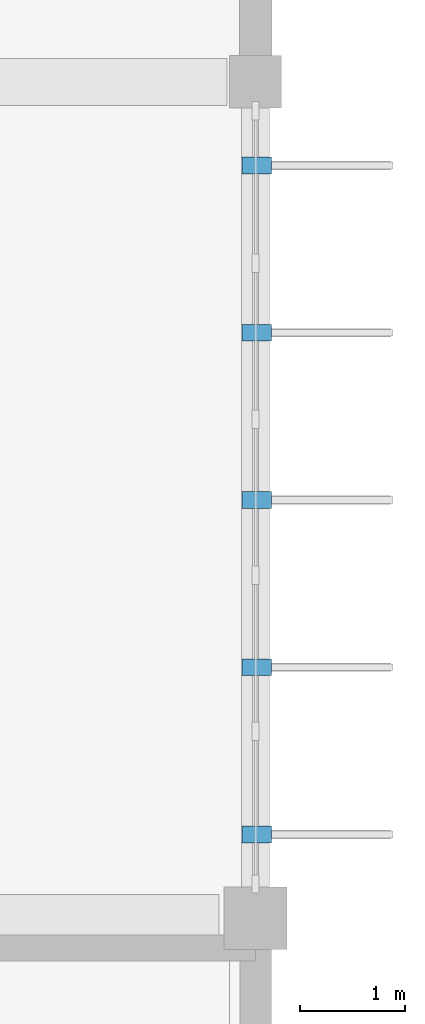
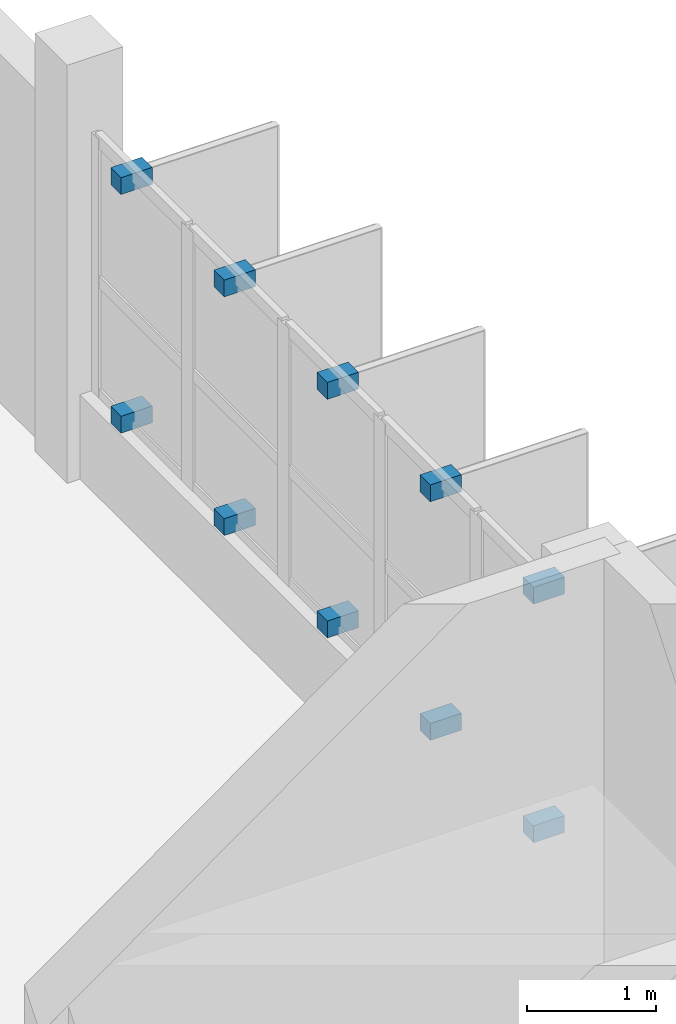
# One storey, part 60 of 66: 10 discrete accessories.
"""IFC4 building model written with IfcOpenShell, lengths in metres."""

import ifcopenshell
import ifcopenshell.guid

model = None  # the IFC model being written
_history = None  # IfcOwnerHistory: only IFC2X3 demands one
_inside = {}  # id of a spatial element -> (the spatial element, [elements in it])
_under = {}  # id of a project, library or spatial element -> (it, [spatial elements below it])
_declared = {}  # id of a project -> (the project, [libraries it declares])
_typed = {}  # id of a type object -> (the type object, [elements of that type])
_made_of = {}  # id of a material, layer set ... -> (it, [elements and type objects made of it])


def new_model(schema):
    """Start an empty IFC model of exactly this schema.

    Asked for "IFC4X3", IfcOpenShell would pick the latest addendum, in which some entities
    have other attributes; the version numbers below select the first issue.
    IFC2X3 requires an IfcOwnerHistory on every rooted entity: one is made here for all.
    """
    global model, _history
    if schema == "IFC4X3":
        model = ifcopenshell.file(schema_version=(4, 3, 0, 0))
    else:
        model = ifcopenshell.file(schema=schema)
    _inside.clear()
    _under.clear()
    _declared.clear()
    _typed.clear()
    _made_of.clear()
    _history = None
    if model.schema == "IFC2X3":
        org = make("IfcOrganization", Name="unknown")
        user = make(
            "IfcPersonAndOrganization",
            ThePerson=make("IfcPerson", FamilyName="unknown"),
            TheOrganization=org,
        )
        app = make(
            "IfcApplication",
            ApplicationDeveloper=org,
            Version="unknown",
            ApplicationFullName="unknown",
            ApplicationIdentifier="unknown",
        )
        _history = make(
            "IfcOwnerHistory",
            OwningUser=user,
            OwningApplication=app,
            ChangeAction="ADDED",
            CreationDate=0,
        )
    return model


def make(cls, **values):
    """One entity of the class cls with the attributes given. An attribute that is None is left unset."""
    return model.create_entity(
        cls, **{name: value for name, value in values.items() if value is not None}
    )


def rooted(cls, **values):
    """An entity with a GlobalId (a new one), such as an element, a storey or a relation."""
    return make(cls, GlobalId=ifcopenshell.guid.new(), OwnerHistory=_history, **values)


def si_unit(unit_type, name, prefix=None):
    """IfcSIUnit, for example si_unit("LENGTHUNIT", "METRE", prefix="MILLI")."""
    return make("IfcSIUnit", UnitType=unit_type, Prefix=prefix, Name=name)


def assignment(units):
    """IfcUnitAssignment: the units of a project."""
    return None if units is None else make("IfcUnitAssignment", Units=units)


def point(xyz):
    """IfcCartesianPoint."""
    return None if xyz is None else make("IfcCartesianPoint", Coordinates=xyz)


def direction(xyz):
    """IfcDirection."""
    return None if xyz is None else make("IfcDirection", DirectionRatios=xyz)


def frame(location, z_axis=None, x_axis=None):
    """IfcAxis2Placement3D, a coordinate frame: its origin and axes. An axis left out is left unset."""
    return make(
        "IfcAxis2Placement3D",
        Location=point(location),
        Axis=direction(z_axis),
        RefDirection=direction(x_axis),
    )


def frame_2d(location, x_axis=None):
    """IfcAxis2Placement2D, a coordinate frame in the plane: its origin and x axis."""
    return make(
        "IfcAxis2Placement2D", Location=point(location), RefDirection=direction(x_axis)
    )


def origin():
    """The frame at (0, 0, 0) with its axes left unset."""
    return frame((0.0, 0.0, 0.0))


def origin_2d():
    """The frame at (0, 0) in the plane with its x axis left unset."""
    return frame_2d((0.0, 0.0))


def place(relative_to, where):
    """IfcLocalPlacement: puts the frame where relative to a parent placement (None: the world)."""
    return make(
        "IfcLocalPlacement", PlacementRelTo=relative_to, RelativePlacement=where
    )


def context(
    kind, dimensions, precision=None, world=None, true_north=None, identifier=None
):
    """IfcGeometricRepresentationContext, for example the 3D "Model" context."""
    return make(
        "IfcGeometricRepresentationContext",
        ContextIdentifier=identifier,
        ContextType=kind,
        CoordinateSpaceDimension=dimensions,
        Precision=precision,
        WorldCoordinateSystem=world,
        TrueNorth=true_north,
    )


def subcontext(parent, identifier, kind, view, scale=None):
    """IfcGeometricRepresentationSubContext, for example "Body" below "Model"."""
    return make(
        "IfcGeometricRepresentationSubContext",
        ContextIdentifier=identifier,
        ContextType=kind,
        ParentContext=parent,
        TargetScale=scale,
        TargetView=view,
    )


def project(units=None, contexts=None):
    """IfcProject with its units and contexts."""
    return rooted(
        "IfcProject",
        Name="project",
        RepresentationContexts=contexts,
        UnitsInContext=assignment(units),
    )


def spatial(cls, under=None, at=None, **own):
    """A site, building, storey or space (cls), placed at a placement, below another one or the project."""
    s = rooted(cls, ObjectPlacement=at, **own)
    if under is not None:
        _under.setdefault(under.id(), (under, []))[1].append(s)
    return s


def profile(cls, at=None, kind="AREA", **sizes):
    """A parametric profile (cls). Its sizes go by their IFC names, for example OverallWidth=200.0."""
    return make(cls, ProfileType=kind, Position=at, **sizes)


def rectangle(**sizes):
    """IfcRectangleProfileDef."""
    return profile("IfcRectangleProfileDef", **sizes)


def extrude(swept, where, along, depth):
    """IfcExtrudedAreaSolid: the profile swept, set in the frame where, extruded along a direction by depth."""
    return make(
        "IfcExtrudedAreaSolid",
        SweptArea=swept,
        Position=where,
        ExtrudedDirection=direction(along),
        Depth=depth,
    )


def shape(context_of_items, identifier, shape_type, items):
    """IfcShapeRepresentation: the items that make up one representation, for example the "Body"."""
    return make(
        "IfcShapeRepresentation",
        ContextOfItems=context_of_items,
        RepresentationIdentifier=identifier,
        RepresentationType=shape_type,
        Items=items,
    )


def material(Name=None, Category=None):
    """IfcMaterial."""
    return make("IfcMaterial", Name=Name, Category=Category)


def made_of(thing, what):
    """Note that an element or type object is made of a material, layer set ...; save() writes the relation."""
    if what is not None:
        _made_of.setdefault(what.id(), (what, []))[1].append(thing)
    return thing


def type_object(cls, material=None, **own):
    """A type object (cls), such as IfcWallType, which elements share."""
    return made_of(rooted(cls, **own), material)


def element(
    cls,
    number,
    at=None,
    inside=None,
    cuts=None,
    type_object=None,
    material=None,
    context=None,
    identifier="Body",
    shape_type=None,
    held_by="IfcProductDefinitionShape",
    body=None,
    shapes=None,
    **own,
):
    """One element of the class cls, such as IfcWall. Its Tag is "e" and its number.

    at: its placement. inside: the storey or other place that contains it. cuts: it is an
    opening in that element (IfcRelVoidsElement). A single representation is given by context,
    identifier, shape_type and body (its items); several are given by shapes. held_by: the class
    of the entity that holds the representations. save() writes the other relations.
    """
    e = rooted(cls, Tag="e%d" % number, ObjectPlacement=at, **own)
    if body is not None:
        shapes = [shape(context, identifier, shape_type, body)]
    if shapes is not None:
        e.Representation = make(held_by, Representations=shapes)
    if inside is not None:
        _inside.setdefault(inside.id(), (inside, []))[1].append(e)
    if cuts is not None:
        rooted(
            "IfcRelVoidsElement", RelatingBuildingElement=cuts, RelatedOpeningElement=e
        )
    if type_object is not None:
        _typed.setdefault(type_object.id(), (type_object, []))[1].append(e)
    return made_of(e, material)


def aggregate(whole, parts):
    """IfcRelAggregates: a whole, such as a stair, and the parts it consists of."""
    return rooted("IfcRelAggregates", RelatingObject=whole, RelatedObjects=parts)


def save(model, path):
    """Write the relations noted so far, then the file.

    IfcRelAggregates (storeys below a building ...), IfcRelContainedInSpatialStructure (elements
    in a storey), IfcRelDefinesByType, IfcRelAssociatesMaterial and IfcRelDeclares: one each for
    every whole, place, type object, material and project.
    """
    for whole, parts in _under.values():
        aggregate(whole, parts)
    for where, things in _inside.values():
        rooted(
            "IfcRelContainedInSpatialStructure",
            RelatedElements=things,
            RelatingStructure=where,
        )
    for kind, things in _typed.values():
        rooted("IfcRelDefinesByType", RelatedObjects=things, RelatingType=kind)
    for what, things in _made_of.values():
        rooted("IfcRelAssociatesMaterial", RelatedObjects=things, RelatingMaterial=what)
    for by, libraries in _declared.values():
        rooted("IfcRelDeclares", RelatingContext=by, RelatedDefinitions=libraries)
    model.write(path)


model = new_model("IFC4")

# Units and contexts
model_context = context("Model", 3, precision=1e-05, world=origin(), true_north=direction((0.0, 1.0)))
body_context = subcontext(model_context, "Body", "Model", "MODEL_VIEW")
ifc_project = project(units=[si_unit("LENGTHUNIT", "METRE"), si_unit("AREAUNIT", "SQUARE_METRE"), si_unit("VOLUMEUNIT", "CUBIC_METRE"), si_unit("PLANEANGLEUNIT", "RADIAN"), si_unit("MASSUNIT", "GRAM", prefix="KILO")], contexts=[model_context])

# Site, building, storey
site_placement = place(None, origin())
site = spatial("IfcSite", under=ifc_project, at=site_placement, CompositionType="ELEMENT")
building_placement = place(site_placement, origin())
building = spatial("IfcBuilding", under=site, at=building_placement, Name="Drelvana Railside Aquatics Centre", CompositionType="ELEMENT")
storey_placement = place(building_placement, frame((0.0, 0.0, 10.199951171875)))
storey = spatial("IfcBuildingStorey", under=building, at=storey_placement, Name="L02", CompositionType="ELEMENT", Elevation=10.199951171875)

# Discrete accessories
ifc_material = material(Name="Stainless steel 316 facade bracket", Category="steel")
discrete_accessory_type = type_object("IfcDiscreteAccessoryType", Name="ACC-BRACKET-FIN", PredefinedType="BRACKET", material=ifc_material)
for number, where, z_axis, x_axis, name in (
    (1, (184.010009765625, 80.800048828125, 0.81494140625), (0.0, 0.0, 1.0), (1.0, 0.0, 0.0), "Shading fin bracket BK-1635"),
    (2, (184.010009765625, 80.800048828125, 3.0751953125), (0.0, 0.0, 1.0), (1.0, 0.0, 0.0), "Shading fin bracket BK-1636"),
    (3, (184.010009765625, 82.39990234375, 0.81494140625), (0.0, 0.0, 1.0), (1.0, 0.0, 0.0), "Shading fin bracket BK-1637"),
    (4, (184.010009765625, 82.39990234375, 3.0751953125), (0.0, 0.0, 1.0), (1.0, 0.0, 0.0), "Shading fin bracket BK-1638"),
    (5, (184.010009765625, 84.0, 0.81494140625), (0.0, 0.0, 1.0), (1.0, 0.0, 0.0), "Shading fin bracket BK-1639"),
    (6, (184.010009765625, 84.0, 3.0751953125), (0.0, 0.0, 1.0), (1.0, 0.0, 0.0), "Shading fin bracket BK-1640"),
    (7, (184.010009765625, 85.60009765625, 0.81494140625), (0.0, 0.0, 1.0), (1.0, 0.0, 0.0), "Shading fin bracket BK-1641"),
    (8, (184.010009765625, 85.60009765625, 3.0751953125), (0.0, 0.0, 1.0), (1.0, 0.0, 0.0), "Shading fin bracket BK-1642"),
    (9, (184.010009765625, 87.199951171875, 0.81494140625), (0.0, 0.0, 1.0), (1.0, 0.0, 0.0), "Shading fin bracket BK-1643"),
    (10, (184.010009765625, 87.199951171875, 3.0751953125), (0.0, 0.0, 1.0), (1.0, 0.0, 0.0), "Shading fin bracket BK-1644"),
):
    element("IfcDiscreteAccessory", number, at=place(storey_placement, frame(where, z_axis=z_axis, x_axis=x_axis)), inside=storey, type_object=discrete_accessory_type, Name=name, PredefinedType="BRACKET", context=body_context, shape_type="SweptSolid", body=[
        extrude(rectangle(XDim=0.280029296875, YDim=0.159912109375, at=origin_2d()), origin(), (0.0, 0.0, 1.0), 0.159912109375),
    ])

save(model, "model.ifc")
